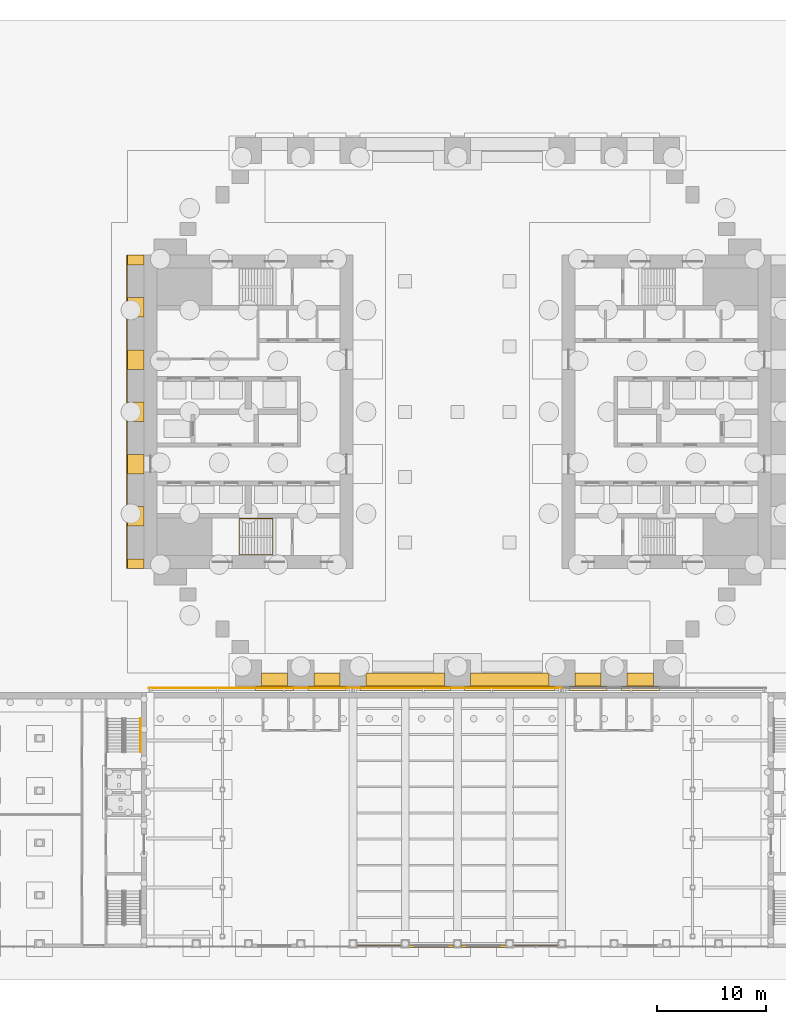
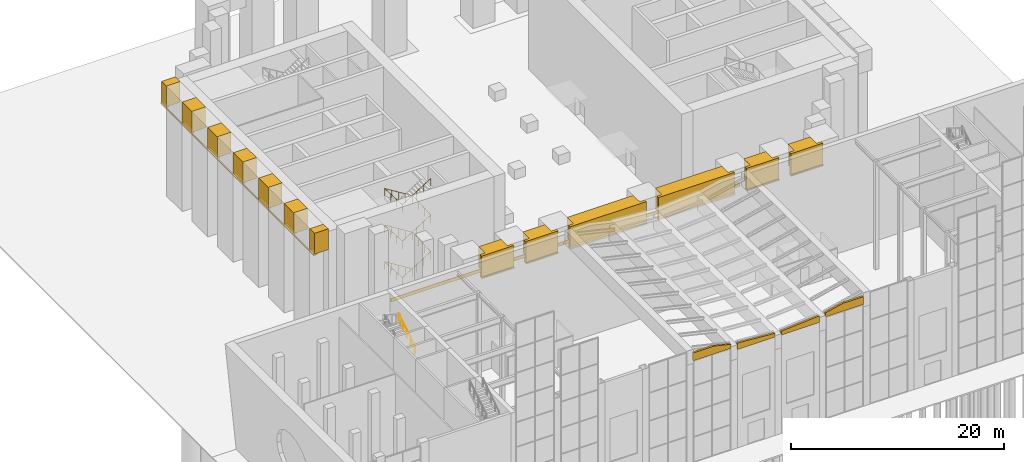
# One storey, part 53 of 58: 26 coverings, 2 railings.
"""IFC4 building model written with IfcOpenShell, lengths in metres."""

from ifc_helpers import new_model, si_unit, direction, frame, origin, origin_2d, place, context, subcontext, project, spatial, polyline, circle, outline, extrude, material, layer, layer_set, type_object, element, save


model = new_model("IFC4")

# Units and contexts
model_context = context("Model", 3, precision=1e-05, world=origin(), true_north=direction((0.0, 1.0)))
body_context = subcontext(model_context, "Body", "Model", "MODEL_VIEW")
ifc_project = project(units=[si_unit("LENGTHUNIT", "METRE"), si_unit("AREAUNIT", "SQUARE_METRE"), si_unit("VOLUMEUNIT", "CUBIC_METRE"), si_unit("PLANEANGLEUNIT", "RADIAN"), si_unit("MASSUNIT", "GRAM", prefix="KILO")], contexts=[model_context])

# Site, building, storey
site_placement = place(None, origin())
site = spatial("IfcSite", under=ifc_project, at=site_placement, CompositionType="ELEMENT")
building_placement = place(site_placement, origin())
building = spatial("IfcBuilding", under=site, at=building_placement, Name="Baori Bourse Tower", CompositionType="ELEMENT")
storey_placement = place(building_placement, origin())
storey = spatial("IfcBuildingStorey", under=building, at=storey_placement, Name="L00", CompositionType="ELEMENT", Elevation=0.0)

# Coverings
ifc_material_1 = material(Name="Pale anodised aluminium", Category="aluminium")
ifc_layer_1 = layer(ifc_material_1, 0.050048828125)
ifc_layer_set_1 = layer_set([ifc_layer_1], Name="Canopy edge band 300")
covering_type_1 = type_object("IfcCoveringType", Name="Canopy edge band 300", PredefinedType="CLADDING", material=ifc_layer_set_1)
covering_1_placement = place(storey_placement, frame((0.0, 0.0, 10.699951171875)))
element("IfcCovering", 1, at=covering_1_placement, inside=storey, type_object=covering_type_1, Name="Canopy edge", PredefinedType="CLADDING", context=body_context, shape_type="SweptSolid", body=[
    extrude(outline(polyline([(0.449951171875, -1.39990234375), (19.175048828125, -1.39990234375), (19.175048828125, -1.35009765625), (0.449951171875, -1.35009765625), (0.449951171875, -1.39990234375)])), origin(), (0.0, 0.0, 1.0), 0.400146484375),
])
covering_2_placement = place(storey_placement, frame((0.0, 0.0, 10.699951171875)))
element("IfcCovering", 2, at=covering_2_placement, inside=storey, type_object=covering_type_1, Name="Canopy edge", PredefinedType="CLADDING", context=body_context, shape_type="SweptSolid", body=[
    extrude(outline(polyline([(19.22509765625, -1.39990234375), (38.375, -1.39990234375), (38.375, -1.35009765625), (19.22509765625, -1.35009765625), (19.22509765625, -1.39990234375)])), origin(), (0.0, 0.0, 1.0), 0.400146484375),
])

# Railing
ifc_material_2 = material(Name="Powder-coated steel balustrade", Category="steel")
railing_type_1 = type_object("IfcRailingType", Name="Core stair handrail", PredefinedType="HANDRAIL", material=ifc_material_2)
railing_1_placement = place(storey_placement, frame((11.85009765625, 14.199951171875, 0.175048828125)))
element("IfcRailing", 3, at=railing_1_placement, inside=storey, type_object=railing_type_1, Name="L00 ST1 stair handrail 1", PredefinedType="HANDRAIL", context=body_context, shape_type="SweptSolid", body=[
    extrude(circle(Radius=0.02392578125, at=origin_2d()), frame((0.0, 0.0, 0.8759765625), z_axis=(-0.847998304005, 0.0, 0.529998940003), x_axis=(0.0, -1.0, 0.0)), (0.0, 0.0, 1.0), 3.632080078125),
    extrude(circle(Radius=0.02392578125, at=origin_2d()), frame((-3.080078125, 0.0, 2.80078125), z_axis=(0.0, -0.998641252765, 0.052111882296), x_axis=(1.0, 0.0, 0.0)), (0.0, 0.0, 1.0), 3.3544921875),
    extrude(circle(Radius=0.02392578125, at=origin_2d()), frame((-3.080078125, -3.349853515625, 2.9755859375), z_axis=(0.847998304005, 0.0, 0.529998940003), x_axis=(0.0, 1.0, 0.0)), (0.0, 0.0, 1.0), 3.632080078125),
    extrude(circle(Radius=0.02392578125, at=origin_2d()), frame((0.0, -3.349853515625, 4.90087890625), z_axis=(0.0, 0.99863746249, 0.052184466191), x_axis=(-1.0, 0.0, 0.0)), (0.0, 0.0, 1.0), 3.3544921875),
    extrude(circle(Radius=0.02392578125, at=origin_2d()), frame((0.0, 0.0, 5.07568359375), z_axis=(-0.847998304005, 0.0, 0.529998940003), x_axis=(0.0, -1.0, 0.0)), (0.0, 0.0, 1.0), 3.632080078125),
    extrude(circle(Radius=0.02392578125, at=origin_2d()), frame((-3.080078125, 0.0, 7.0009765625), z_axis=(0.0, -0.99863746249, 0.052184466191), x_axis=(1.0, 0.0, 0.0)), (0.0, 0.0, 1.0), 3.3544921875),
    extrude(circle(Radius=0.02392578125, at=origin_2d()), frame((-3.080078125, -3.349853515625, 7.17578125), z_axis=(0.848028513186, 0.0, 0.529950602248), x_axis=(0.0, 1.0, 0.0)), (0.0, 0.0, 1.0), 3.632080078125),
    extrude(circle(Radius=0.02392578125, at=origin_2d()), frame((0.0, -3.349853515625, 9.1005859375), z_axis=(0.0, 0.99863746249, 0.052184466191), x_axis=(-1.0, 0.0, 0.0)), (0.0, 0.0, 1.0), 3.3544921875),
    extrude(circle(Radius=0.02392578125, at=origin_2d()), frame((0.0, 0.0, 9.27587890625), z_axis=(-0.847998304005, 0.0, 0.529998940003), x_axis=(0.0, -1.0, 0.0)), (0.0, 0.0, 1.0), 3.632080078125),
    extrude(circle(Radius=0.02392578125, at=origin_2d()), frame((-3.080078125, 0.0, 11.20068359375), z_axis=(0.0, -0.99863746249, 0.052184466191), x_axis=(1.0, 0.0, 0.0)), (0.0, 0.0, 1.0), 3.3544921875),
    extrude(circle(Radius=0.02392578125, at=origin_2d()), frame((-3.080078125, -3.349853515625, 11.3759765625), z_axis=(0.847998304005, 0.0, 0.529998940003), x_axis=(0.0, 1.0, 0.0)), (0.0, 0.0, 1.0), 3.632080078125),
    extrude(circle(Radius=0.02099609375, at=origin_2d()), origin(), (0.0, 0.0, 1.0), 0.851806640625),
    extrude(circle(Radius=0.02099609375, at=origin_2d()), frame((-0.77001953125, 0.0, 0.481201171875)), (0.0, 0.0, 1.0), 0.851806640625),
    extrude(circle(Radius=0.02099609375, at=origin_2d()), frame((-1.5400390625, 0.0, 0.96240234375)), (0.0, 0.0, 1.0), 0.851806640625),
    extrude(circle(Radius=0.02099609375, at=origin_2d()), frame((-2.31005859375, 0.0, 1.44384765625)), (0.0, 0.0, 1.0), 0.851806640625),
    extrude(circle(Radius=0.02099609375, at=origin_2d()), frame((-3.080078125, 0.0, 1.925048828125)), (0.0, 0.0, 1.0), 0.851806640625),
    extrude(circle(Radius=0.02099609375, at=origin_2d()), frame((-3.080078125, -1.11669921875, 1.9833984375)), (0.0, 0.0, 1.0), 0.851806640625),
    extrude(circle(Radius=0.02099609375, at=origin_2d()), frame((-3.080078125, -2.233154296875, 2.04150390625)), (0.0, 0.0, 1.0), 0.851806640625),
    extrude(circle(Radius=0.02099609375, at=origin_2d()), frame((-3.080078125, -3.349853515625, 2.099853515625)), (0.0, 0.0, 1.0), 0.851806640625),
    extrude(circle(Radius=0.02099609375, at=origin_2d()), frame((-2.31005859375, -3.349853515625, 2.5810546875)), (0.0, 0.0, 1.0), 0.851806640625),
    extrude(circle(Radius=0.02099609375, at=origin_2d()), frame((-1.5400390625, -3.349853515625, 3.0625)), (0.0, 0.0, 1.0), 0.851806640625),
    extrude(circle(Radius=0.02099609375, at=origin_2d()), frame((-0.77001953125, -3.349853515625, 3.543701171875)), (0.0, 0.0, 1.0), 0.851806640625),
    extrude(circle(Radius=0.02099609375, at=origin_2d()), frame((0.0, -3.349853515625, 4.02490234375)), (0.0, 0.0, 1.0), 0.851806640625),
    extrude(circle(Radius=0.02099609375, at=origin_2d()), frame((0.0, -2.233154296875, 4.083251953125)), (0.0, 0.0, 1.0), 0.851806640625),
    extrude(circle(Radius=0.02099609375, at=origin_2d()), frame((0.0, -1.11669921875, 4.1416015625)), (0.0, 0.0, 1.0), 0.851806640625),
    extrude(circle(Radius=0.02099609375, at=origin_2d()), frame((0.0, 0.0, 4.199951171875)), (0.0, 0.0, 1.0), 0.851806640625),
    extrude(circle(Radius=0.02099609375, at=origin_2d()), frame((-0.77001953125, 0.0, 4.68115234375)), (0.0, 0.0, 1.0), 0.851806640625),
    extrude(circle(Radius=0.02099609375, at=origin_2d()), frame((-1.5400390625, 0.0, 5.16259765625)), (0.0, 0.0, 1.0), 0.851806640625),
    extrude(circle(Radius=0.02099609375, at=origin_2d()), frame((-2.31005859375, 0.0, 5.643798828125)), (0.0, 0.0, 1.0), 0.851806640625),
    extrude(circle(Radius=0.02099609375, at=origin_2d()), frame((-3.080078125, 0.0, 6.125)), (0.0, 0.0, 1.0), 0.851806640625),
    extrude(circle(Radius=0.02099609375, at=origin_2d()), frame((-3.080078125, -1.11669921875, 6.183349609375)), (0.0, 0.0, 1.0), 0.851806640625),
    extrude(circle(Radius=0.02099609375, at=origin_2d()), frame((-3.080078125, -2.233154296875, 6.24169921875)), (0.0, 0.0, 1.0), 0.851806640625),
    extrude(circle(Radius=0.02099609375, at=origin_2d()), frame((-3.080078125, -3.349853515625, 6.300048828125)), (0.0, 0.0, 1.0), 0.851806640625),
    extrude(circle(Radius=0.02099609375, at=origin_2d()), frame((-2.31005859375, -3.349853515625, 6.78125)), (0.0, 0.0, 1.0), 0.851806640625),
    extrude(circle(Radius=0.02099609375, at=origin_2d()), frame((-1.5400390625, -3.349853515625, 7.262451171875)), (0.0, 0.0, 1.0), 0.851806640625),
    extrude(circle(Radius=0.02099609375, at=origin_2d()), frame((-0.77001953125, -3.349853515625, 7.74365234375)), (0.0, 0.0, 1.0), 0.851806640625),
    extrude(circle(Radius=0.02099609375, at=origin_2d()), frame((0.0, -3.349853515625, 8.224853515625)), (0.0, 0.0, 1.0), 0.851806640625),
    extrude(circle(Radius=0.02099609375, at=origin_2d()), frame((0.0, -2.233154296875, 8.283203125)), (0.0, 0.0, 1.0), 0.851806640625),
    extrude(circle(Radius=0.02099609375, at=origin_2d()), frame((0.0, -1.11669921875, 8.341552734375)), (0.0, 0.0, 1.0), 0.851806640625),
    extrude(circle(Radius=0.02099609375, at=origin_2d()), frame((0.0, 0.0, 8.39990234375)), (0.0, 0.0, 1.0), 0.851806640625),
    extrude(circle(Radius=0.02099609375, at=origin_2d()), frame((-0.77001953125, 0.0, 8.881103515625)), (0.0, 0.0, 1.0), 0.851806640625),
    extrude(circle(Radius=0.02099609375, at=origin_2d()), frame((-1.5400390625, 0.0, 9.3623046875)), (0.0, 0.0, 1.0), 0.851806640625),
    extrude(circle(Radius=0.02099609375, at=origin_2d()), frame((-2.31005859375, 0.0, 9.84375)), (0.0, 0.0, 1.0), 0.851806640625),
    extrude(circle(Radius=0.02099609375, at=origin_2d()), frame((-3.080078125, 0.0, 10.324951171875)), (0.0, 0.0, 1.0), 0.851806640625),
    extrude(circle(Radius=0.02099609375, at=origin_2d()), frame((-3.080078125, -1.11669921875, 10.38330078125)), (0.0, 0.0, 1.0), 0.851806640625),
    extrude(circle(Radius=0.02099609375, at=origin_2d()), frame((-3.080078125, -2.233154296875, 10.441650390625)), (0.0, 0.0, 1.0), 0.851806640625),
    extrude(circle(Radius=0.02099609375, at=origin_2d()), frame((-3.080078125, -3.349853515625, 10.5)), (0.0, 0.0, 1.0), 0.851806640625),
    extrude(circle(Radius=0.02099609375, at=origin_2d()), frame((-2.31005859375, -3.349853515625, 10.981201171875)), (0.0, 0.0, 1.0), 0.851806640625),
    extrude(circle(Radius=0.02099609375, at=origin_2d()), frame((-1.5400390625, -3.349853515625, 11.46240234375)), (0.0, 0.0, 1.0), 0.851806640625),
    extrude(circle(Radius=0.02099609375, at=origin_2d()), frame((-0.77001953125, -3.349853515625, 11.94384765625)), (0.0, 0.0, 1.0), 0.851806640625),
    extrude(circle(Radius=0.02099609375, at=origin_2d()), frame((0.0, -3.349853515625, 12.425048828125)), (0.0, 0.0, 1.0), 0.851806640625),
])

# Coverings
ifc_material_3 = material(Name="Pale anodised aluminium", Category="aluminium")
covering_type_2 = type_object("IfcCoveringType", Name="ED3 Drip moulding", PredefinedType="MOLDING", material=ifc_material_3)
covering_3_placement = place(storey_placement, frame((0.0, 0.0, 10.050048828125)))
element("IfcCovering", 4, at=covering_3_placement, inside=storey, type_object=covering_type_2, Name="Drip moulding L00 8", PredefinedType="MOLDING", context=body_context, shape_type="SweptSolid", body=[
    extrude(outline(polyline([(-1.199951171875, 37.5), (-1.199951171875, 38.39990234375), (-1.60009765625, 38.39990234375), (-1.60009765625, 9.60009765625), (-1.199951171875, 9.60009765625), (-1.199951171875, 10.5), (-1.5, 10.5), (-1.5, 13.5), (-1.199951171875, 13.5), (-1.199951171875, 15.300048828125), (-1.5, 15.300048828125), (-1.5, 18.300048828125), (-1.199951171875, 18.300048828125), (-1.199951171875, 20.10009765625), (-1.5, 20.10009765625), (-1.5, 23.10009765625), (-1.199951171875, 23.10009765625), (-1.199951171875, 24.89990234375), (-1.5, 24.89990234375), (-1.5, 27.89990234375), (-1.199951171875, 27.89990234375), (-1.199951171875, 29.699951171875), (-1.5, 29.699951171875), (-1.5, 32.699951171875), (-1.199951171875, 32.699951171875), (-1.199951171875, 34.5), (-1.5, 34.5), (-1.5, 37.5), (-1.199951171875, 37.5)])), origin(), (0.0, 0.0, 1.0), 0.14990234375),
])
covering_4_placement = place(storey_placement, frame((0.0, 0.0, 10.050048828125)))
element("IfcCovering", 5, at=covering_4_placement, inside=storey, type_object=covering_type_2, Name="Drip moulding L00 9", PredefinedType="MOLDING", context=body_context, shape_type="SweptSolid", body=[
    extrude(outline(polyline([(10.800048828125, -1.199951171875), (10.25, -1.199951171875), (10.25, -1.60009765625), (13.75, -1.60009765625), (13.75, -1.199951171875), (13.199951171875, -1.199951171875), (10.800048828125, -1.199951171875)])), origin(), (0.0, 0.0, 1.0), 0.14990234375),
])
covering_5_placement = place(storey_placement, frame((0.0, 0.0, 10.050048828125)))
element("IfcCovering", 6, at=covering_5_placement, inside=storey, type_object=covering_type_2, Name="Drip moulding L00 10", PredefinedType="MOLDING", context=body_context, shape_type="SweptSolid", body=[
    extrude(outline(polyline([(15.60009765625, -1.199951171875), (15.050048828125, -1.199951171875), (15.050048828125, -1.60009765625), (18.550048828125, -1.60009765625), (18.550048828125, -1.199951171875), (18.0, -1.199951171875), (15.60009765625, -1.199951171875)])), origin(), (0.0, 0.0, 1.0), 0.14990234375),
])
covering_6_placement = place(storey_placement, frame((0.0, 0.0, 10.050048828125)))
element("IfcCovering", 7, at=covering_6_placement, inside=storey, type_object=covering_type_2, Name="Drip moulding L00 11", PredefinedType="MOLDING", context=body_context, shape_type="SweptSolid", body=[
    extrude(outline(polyline([(20.39990234375, -1.199951171875), (19.85009765625, -1.199951171875), (19.85009765625, -1.60009765625), (28.14990234375, -1.60009765625), (28.14990234375, -1.199951171875), (27.60009765625, -1.199951171875), (20.39990234375, -1.199951171875)])), origin(), (0.0, 0.0, 1.0), 0.14990234375),
])
covering_7_placement = place(storey_placement, frame((0.0, 0.0, 10.050048828125)))
element("IfcCovering", 8, at=covering_7_placement, inside=storey, type_object=covering_type_2, Name="Drip moulding L00 12", PredefinedType="MOLDING", context=body_context, shape_type="SweptSolid", body=[
    extrude(outline(polyline([(30.0, -1.199951171875), (29.449951171875, -1.199951171875), (29.449951171875, -1.60009765625), (37.75, -1.60009765625), (37.75, -1.199951171875), (37.199951171875, -1.199951171875), (30.0, -1.199951171875)])), origin(), (0.0, 0.0, 1.0), 0.14990234375),
])
covering_8_placement = place(storey_placement, frame((0.0, 0.0, 10.050048828125)))
element("IfcCovering", 9, at=covering_8_placement, inside=storey, type_object=covering_type_2, Name="Drip moulding L00 13", PredefinedType="MOLDING", context=body_context, shape_type="SweptSolid", body=[
    extrude(outline(polyline([(39.60009765625, -1.199951171875), (39.050048828125, -1.199951171875), (39.050048828125, -1.60009765625), (42.550048828125, -1.60009765625), (42.550048828125, -1.199951171875), (42.0, -1.199951171875), (39.60009765625, -1.199951171875)])), origin(), (0.0, 0.0, 1.0), 0.14990234375),
])
covering_9_placement = place(storey_placement, frame((0.0, 0.0, 10.050048828125)))
element("IfcCovering", 10, at=covering_9_placement, inside=storey, type_object=covering_type_2, Name="Drip moulding L00 14", PredefinedType="MOLDING", context=body_context, shape_type="SweptSolid", body=[
    extrude(outline(polyline([(44.39990234375, -1.199951171875), (43.85009765625, -1.199951171875), (43.85009765625, -1.60009765625), (47.35009765625, -1.60009765625), (47.35009765625, -1.199951171875), (46.800048828125, -1.199951171875), (44.39990234375, -1.199951171875)])), origin(), (0.0, 0.0, 1.0), 0.14990234375),
])
ifc_material_4 = material(Name="Pale anodised aluminium", Category="aluminium")
covering_type_3 = type_object("IfcCoveringType", Name="ED4 Stilt fascia band", PredefinedType="CLADDING", material=ifc_material_4)
covering_10_placement = place(storey_placement, frame((0.0, 0.0, 10.199951171875)))
element("IfcCovering", 11, at=covering_10_placement, inside=storey, type_object=covering_type_3, Name="Stilt fascia band L00 14", PredefinedType="CLADDING", context=body_context, shape_type="SweptSolid", body=[
    extrude(outline(polyline([(0.0, 32.699951171875), (0.0, 34.5), (-1.5, 34.5), (-1.5, 32.699951171875), (0.0, 32.699951171875)])), origin(), (0.0, 0.0, 1.0), 2.400146484375),
])
covering_11_placement = place(storey_placement, frame((0.0, 0.0, 10.199951171875)))
element("IfcCovering", 12, at=covering_11_placement, inside=storey, type_object=covering_type_3, Name="Stilt fascia band L00 15", PredefinedType="CLADDING", context=body_context, shape_type="SweptSolid", body=[
    extrude(outline(polyline([(0.0, 27.89990234375), (0.0, 29.699951171875), (-1.5, 29.699951171875), (-1.5, 27.89990234375), (0.0, 27.89990234375)])), origin(), (0.0, 0.0, 1.0), 2.400146484375),
])
covering_12_placement = place(storey_placement, frame((0.0, 0.0, 10.199951171875)))
element("IfcCovering", 13, at=covering_12_placement, inside=storey, type_object=covering_type_3, Name="Stilt fascia band L00 16", PredefinedType="CLADDING", context=body_context, shape_type="SweptSolid", body=[
    extrude(outline(polyline([(0.0, 23.10009765625), (0.0, 24.89990234375), (-1.5, 24.89990234375), (-1.5, 23.10009765625), (0.0, 23.10009765625)])), origin(), (0.0, 0.0, 1.0), 2.400146484375),
])
covering_13_placement = place(storey_placement, frame((0.0, 0.0, 10.199951171875)))
element("IfcCovering", 14, at=covering_13_placement, inside=storey, type_object=covering_type_3, Name="Stilt fascia band L00 17", PredefinedType="CLADDING", context=body_context, shape_type="SweptSolid", body=[
    extrude(outline(polyline([(0.0, 18.300048828125), (0.0, 20.10009765625), (-1.5, 20.10009765625), (-1.5, 18.300048828125), (0.0, 18.300048828125)])), origin(), (0.0, 0.0, 1.0), 2.400146484375),
])
covering_14_placement = place(storey_placement, frame((0.0, 0.0, 10.199951171875)))
element("IfcCovering", 15, at=covering_14_placement, inside=storey, type_object=covering_type_3, Name="Stilt fascia band L00 18", PredefinedType="CLADDING", context=body_context, shape_type="SweptSolid", body=[
    extrude(outline(polyline([(0.0, 13.5), (0.0, 15.300048828125), (-1.5, 15.300048828125), (-1.5, 13.5), (0.0, 13.5)])), origin(), (0.0, 0.0, 1.0), 2.400146484375),
])
covering_15_placement = place(storey_placement, frame((0.0, 0.0, 10.199951171875)))
element("IfcCovering", 16, at=covering_15_placement, inside=storey, type_object=covering_type_3, Name="Stilt fascia band L00 19", PredefinedType="CLADDING", context=body_context, shape_type="SweptSolid", body=[
    extrude(outline(polyline([(0.0, 9.60009765625), (0.0, 10.5), (-1.5, 10.5), (-1.5, 9.60009765625), (0.0, 9.60009765625)])), origin(), (0.0, 0.0, 1.0), 2.400146484375),
])
covering_16_placement = place(storey_placement, frame((0.0, 0.0, 10.199951171875)))
element("IfcCovering", 17, at=covering_16_placement, inside=storey, type_object=covering_type_3, Name="Stilt fascia band L00 20", PredefinedType="CLADDING", context=body_context, shape_type="SweptSolid", body=[
    extrude(outline(polyline([(0.0, 37.5), (0.0, 38.39990234375), (-1.5, 38.39990234375), (-1.5, 37.5), (0.0, 37.5)])), origin(), (0.0, 0.0, 1.0), 2.400146484375),
])
covering_17_placement = place(storey_placement, frame((0.0, 0.0, 10.199951171875)))
element("IfcCovering", 18, at=covering_17_placement, inside=storey, type_object=covering_type_3, Name="Stilt fascia band L00 21", PredefinedType="CLADDING", context=body_context, shape_type="SweptSolid", body=[
    extrude(outline(polyline([(13.199951171875, 0.0), (10.800048828125, 0.0), (10.800048828125, -1.199951171875), (10.25, -1.199951171875), (10.25, -1.5), (13.75, -1.5), (13.75, -1.199951171875), (13.199951171875, -1.199951171875), (13.199951171875, 0.0)])), origin(), (0.0, 0.0, 1.0), 2.400146484375),
])
covering_18_placement = place(storey_placement, frame((0.0, 0.0, 10.199951171875)))
element("IfcCovering", 19, at=covering_18_placement, inside=storey, type_object=covering_type_3, Name="Stilt fascia band L00 22", PredefinedType="CLADDING", context=body_context, shape_type="SweptSolid", body=[
    extrude(outline(polyline([(18.0, 0.0), (15.60009765625, 0.0), (15.60009765625, -1.199951171875), (15.050048828125, -1.199951171875), (15.050048828125, -1.5), (18.550048828125, -1.5), (18.550048828125, -1.199951171875), (18.0, -1.199951171875), (18.0, 0.0)])), origin(), (0.0, 0.0, 1.0), 2.400146484375),
])
covering_19_placement = place(storey_placement, frame((0.0, 0.0, 10.199951171875)))
element("IfcCovering", 20, at=covering_19_placement, inside=storey, type_object=covering_type_3, Name="Stilt fascia band L00 23", PredefinedType="CLADDING", context=body_context, shape_type="SweptSolid", body=[
    extrude(outline(polyline([(27.60009765625, 0.0), (20.39990234375, 0.0), (20.39990234375, -1.199951171875), (19.85009765625, -1.199951171875), (19.85009765625, -1.5), (28.14990234375, -1.5), (28.14990234375, -1.199951171875), (27.60009765625, -1.199951171875), (27.60009765625, 0.0)])), origin(), (0.0, 0.0, 1.0), 2.400146484375),
])
covering_20_placement = place(storey_placement, frame((0.0, 0.0, 10.199951171875)))
element("IfcCovering", 21, at=covering_20_placement, inside=storey, type_object=covering_type_3, Name="Stilt fascia band L00 24", PredefinedType="CLADDING", context=body_context, shape_type="SweptSolid", body=[
    extrude(outline(polyline([(37.199951171875, 0.0), (30.0, 0.0), (30.0, -1.199951171875), (29.449951171875, -1.199951171875), (29.449951171875, -1.5), (37.75, -1.5), (37.75, -1.199951171875), (37.199951171875, -1.199951171875), (37.199951171875, 0.0)])), origin(), (0.0, 0.0, 1.0), 2.400146484375),
])
covering_21_placement = place(storey_placement, frame((0.0, 0.0, 10.199951171875)))
element("IfcCovering", 22, at=covering_21_placement, inside=storey, type_object=covering_type_3, Name="Stilt fascia band L00 25", PredefinedType="CLADDING", context=body_context, shape_type="SweptSolid", body=[
    extrude(outline(polyline([(42.0, 0.0), (39.60009765625, 0.0), (39.60009765625, -1.199951171875), (39.050048828125, -1.199951171875), (39.050048828125, -1.5), (42.550048828125, -1.5), (42.550048828125, -1.199951171875), (42.0, -1.199951171875), (42.0, 0.0)])), origin(), (0.0, 0.0, 1.0), 2.400146484375),
])
covering_22_placement = place(storey_placement, frame((0.0, 0.0, 10.199951171875)))
element("IfcCovering", 23, at=covering_22_placement, inside=storey, type_object=covering_type_3, Name="Stilt fascia band L00 26", PredefinedType="CLADDING", context=body_context, shape_type="SweptSolid", body=[
    extrude(outline(polyline([(46.800048828125, 0.0), (44.39990234375, 0.0), (44.39990234375, -1.199951171875), (43.85009765625, -1.199951171875), (43.85009765625, -1.5), (47.35009765625, -1.5), (47.35009765625, -1.199951171875), (46.800048828125, -1.199951171875), (46.800048828125, 0.0)])), origin(), (0.0, 0.0, 1.0), 2.400146484375),
])
ifc_material_5 = material(Name="Pale anodised aluminium", Category="aluminium")
ifc_layer_2 = layer(ifc_material_5, 0.199951171875)
ifc_layer_set_2 = layer_set([ifc_layer_2], Name="Fascia metal band 200")
covering_type_4 = type_object("IfcCoveringType", Name="Fascia metal band 200", PredefinedType="CLADDING", material=ifc_layer_set_2)
covering_23_placement = place(storey_placement, frame((19.550048828125, -25.10009765625, 11.699951171875), z_axis=(0.0, 0.0, 1.0), x_axis=(1.0, 0.0, 0.0)))
element("IfcCovering", 24, at=covering_23_placement, inside=storey, type_object=covering_type_4, Name="wing/L00/fascia/001", PredefinedType="CLADDING", context=body_context, shape_type="SweptSolid", body=[
    extrude(outline(polyline([(0.0, 0.0), (4.099853515625, 0.0), (4.10009765625, 0.4619140625), (2.219970703125, 0.900146484375), (0.0, 0.900146484375), (0.0, 0.0)])), frame((0.0, 0.10009765625, 0.0), z_axis=(0.0, -1.0, 0.0), x_axis=(1.0, 0.0, 0.0)), (0.0, 0.0, 1.0), 0.199951171875),
])
covering_24_placement = place(storey_placement, frame((24.35009765625, -25.10009765625, 11.300048828125), z_axis=(0.0, 0.0, 1.0), x_axis=(1.0, 0.0, 0.0)))
element("IfcCovering", 25, at=covering_24_placement, inside=storey, type_object=covering_type_4, Name="wing/L00/fascia/002", PredefinedType="CLADDING", context=body_context, shape_type="SweptSolid", body=[
    extrude(outline(polyline([(0.0, 0.0), (4.099853515625, 0.0), (4.10009765625, 0.446044921875), (0.0, 0.757080078125), (0.0, 0.0)])), frame((0.0, 0.10009765625, 0.0), z_axis=(0.0, -1.0, 0.0), x_axis=(1.0, 0.0, 0.0)), (0.0, 0.0, 1.0), 0.199951171875),
])
covering_25_placement = place(storey_placement, frame((29.14990234375, -25.10009765625, 11.300048828125), z_axis=(0.0, 0.0, 1.0), x_axis=(1.0, 0.0, 0.0)))
element("IfcCovering", 26, at=covering_25_placement, inside=storey, type_object=covering_type_4, Name="wing/L00/fascia/003", PredefinedType="CLADDING", context=body_context, shape_type="SweptSolid", body=[
    extrude(outline(polyline([(0.0, 0.0), (4.10009765625, 0.0), (4.10009765625, 0.757080078125), (0.0, 0.446044921875), (0.0, 0.0)])), frame((0.0, 0.10009765625, 0.0), z_axis=(0.0, -1.0, 0.0), x_axis=(1.0, 0.0, 0.0)), (0.0, 0.0, 1.0), 0.199951171875),
])
covering_26_placement = place(storey_placement, frame((33.949951171875, -25.10009765625, 11.699951171875), z_axis=(0.0, 0.0, 1.0), x_axis=(1.0, 0.0, 0.0)))
element("IfcCovering", 27, at=covering_26_placement, inside=storey, type_object=covering_type_4, Name="wing/L00/fascia/004", PredefinedType="CLADDING", context=body_context, shape_type="SweptSolid", body=[
    extrude(outline(polyline([(0.0, 0.0), (4.10009765625, 0.0), (4.10009765625, 0.900146484375), (1.880126953125, 0.900146484375), (0.0, 0.4619140625), (0.0, 0.0)])), frame((0.0, 0.10009765625, 0.0), z_axis=(0.0, -1.0, 0.0), x_axis=(1.0, 0.0, 0.0)), (0.0, 0.0, 1.0), 0.199951171875),
])

# Railing
ifc_material_6 = material(Name="Stainless steel AISI 316", Category="steel")
railing_type_2 = type_object("IfcRailingType", Name="Wing handrail 900", PredefinedType="HANDRAIL", material=ifc_material_6)
railing_2_placement = place(storey_placement, frame((-0.300048828125, -7.260009765625, 8.574951171875)))
element("IfcRailing", 28, at=railing_2_placement, inside=storey, type_object=railing_type_2, Name="L00 W-STA stair handrail 5", PredefinedType="HANDRAIL", context=body_context, shape_type="SweptSolid", body=[
    extrude(circle(Radius=0.02392578125, at=origin_2d()), frame((0.0, 0.0, 0.8759765625), z_axis=(0.0, 0.847998304005, 0.529998940003), x_axis=(-1.0, 0.0, 0.0)), (0.0, 0.0, 1.0), 3.632080078125),
    extrude(circle(Radius=0.02099609375, at=origin_2d()), origin(), (0.0, 0.0, 1.0), 0.851806640625),
    extrude(circle(Radius=0.02099609375, at=origin_2d()), frame((0.0, 0.77001953125, 0.481201171875)), (0.0, 0.0, 1.0), 0.851806640625),
    extrude(circle(Radius=0.02099609375, at=origin_2d()), frame((0.0, 1.5400390625, 0.96240234375)), (0.0, 0.0, 1.0), 0.851806640625),
    extrude(circle(Radius=0.02099609375, at=origin_2d()), frame((0.0, 2.31005859375, 1.44384765625)), (0.0, 0.0, 1.0), 0.851806640625),
    extrude(circle(Radius=0.02099609375, at=origin_2d()), frame((0.0, 3.080078125, 1.925048828125)), (0.0, 0.0, 1.0), 0.851806640625),
])

save(model, "model.ifc")
